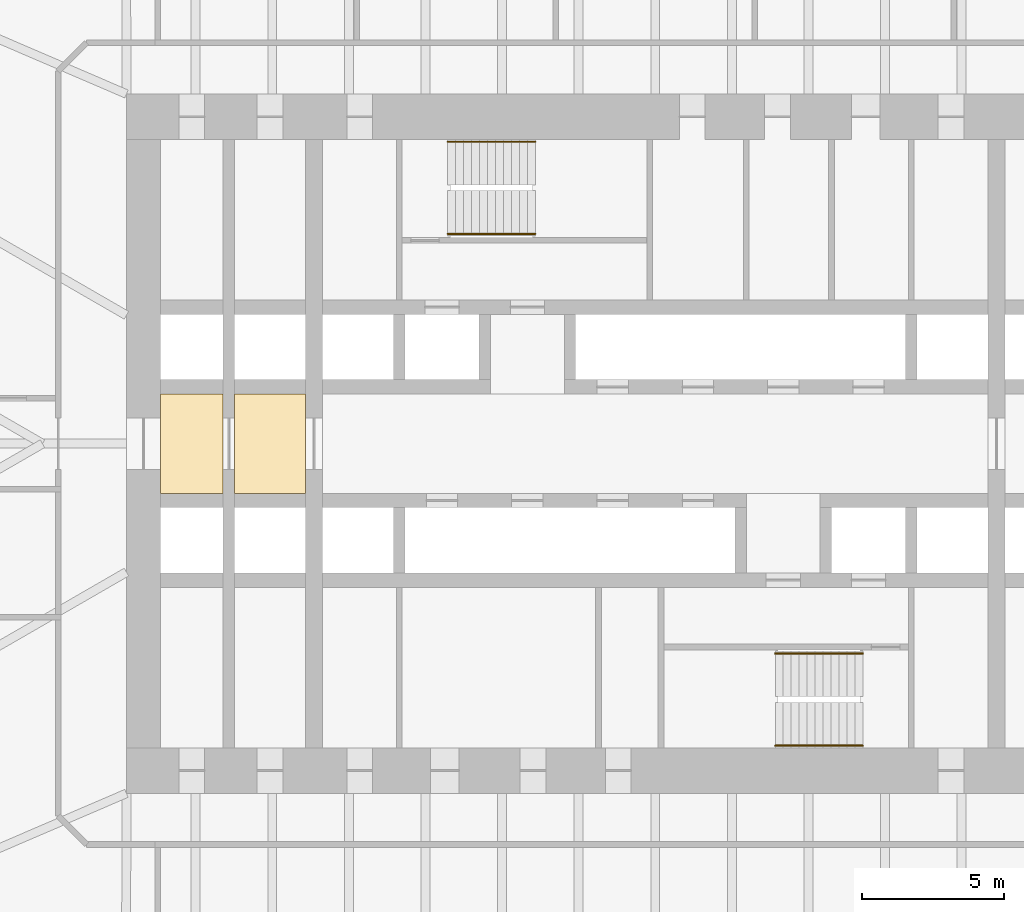
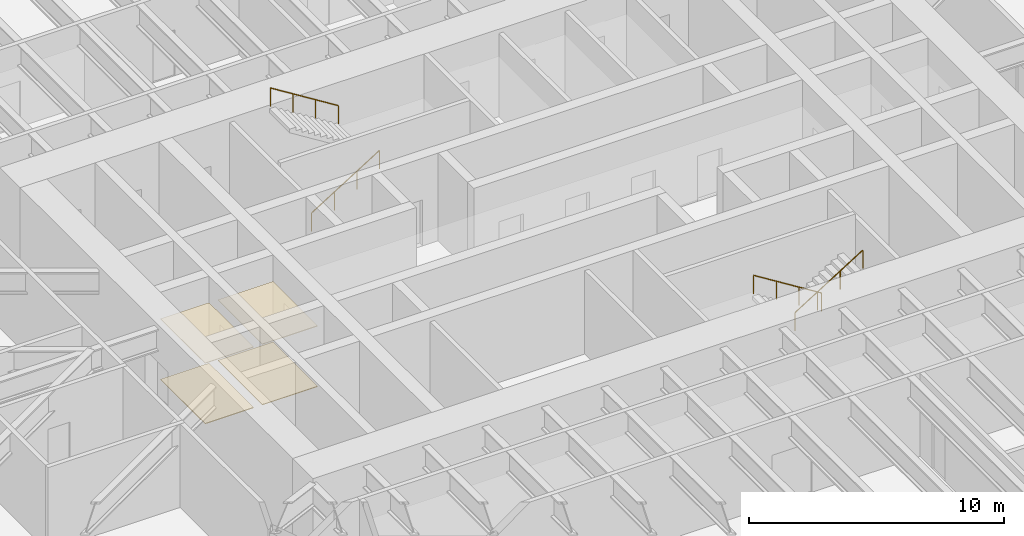
# One storey, part 21 of 23: 4 coverings, 4 railings.
"""IFC4 building model written with IfcOpenShell, lengths in metres."""

from ifc_helpers import new_model, si_unit, direction, frame, origin, origin_2d, place, context, subcontext, project, spatial, polyline, circle, outline, extrude, material, layer, layer_set, type_object, element, save


model = new_model("IFC4")

# Units and contexts
model_context = context("Model", 3, precision=1e-05, world=origin(), true_north=direction((0.0, 1.0)))
body_context = subcontext(model_context, "Body", "Model", "MODEL_VIEW")
ifc_project = project(units=[si_unit("LENGTHUNIT", "METRE"), si_unit("AREAUNIT", "SQUARE_METRE"), si_unit("VOLUMEUNIT", "CUBIC_METRE"), si_unit("PLANEANGLEUNIT", "RADIAN"), si_unit("MASSUNIT", "GRAM", prefix="KILO")], contexts=[model_context])

# Site, building, storey
site_placement = place(None, origin())
site = spatial("IfcSite", under=ifc_project, at=site_placement, CompositionType="ELEMENT")
building_placement = place(site_placement, origin())
building = spatial("IfcBuilding", under=site, at=building_placement, Name="Tarfa Lantern Tower", CompositionType="ELEMENT")
storey_placement = place(building_placement, frame((0.0, 0.0, 57.10009765625)))
storey = spatial("IfcBuildingStorey", under=building, at=storey_placement, Name="L12", CompositionType="ELEMENT", Elevation=57.10009765625)

# Coverings
ifc_material_1 = material(Name="Powder-coated aluminium panel", Category="aluminium")
ifc_layer_1 = layer(ifc_material_1, 0.030029296875)
ifc_layer_set_1 = layer_set([ifc_layer_1], Name="CL3 METAL PANEL CEILING 30")
covering_type_1 = type_object("IfcCoveringType", Name="CL3 METAL PANEL CEILING 30", PredefinedType="CEILING", material=ifc_layer_set_1)
covering_1_placement = place(storey_placement, frame((0.0, 0.0, 2.89990234375)))
element("IfcCovering", 1, at=covering_1_placement, inside=storey, type_object=covering_type_1, Name="Ceiling L12-01", PredefinedType="CEILING", context=body_context, shape_type="SweptSolid", body=[
    extrude(outline(polyline([(-17.39990234375, -1.75), (-15.199951171875, -1.75), (-15.199951171875, 1.75), (-17.39990234375, 1.75), (-17.39990234375, -1.75)])), origin(), (0.0, 0.0, 1.0), 0.030029296875),
])
covering_2_placement = place(storey_placement, frame((0.0, 0.0, 2.89990234375)))
element("IfcCovering", 2, at=covering_2_placement, inside=storey, type_object=covering_type_1, Name="Ceiling L12-02", PredefinedType="CEILING", context=body_context, shape_type="SweptSolid", body=[
    extrude(outline(polyline([(-14.800048828125, -1.75), (-12.300048828125, -1.75), (-12.300048828125, 1.75), (-14.800048828125, 1.75), (-14.800048828125, -1.75)])), origin(), (0.0, 0.0, 1.0), 0.030029296875),
])
ifc_material_2 = material(Name="Honed limestone flooring", Category="masonry")
ifc_layer_2 = layer(ifc_material_2, 0.030029296875)
ifc_layer_set_2 = layer_set([ifc_layer_2], Name="FL2 STONE FLOORING 30")
covering_type_2 = type_object("IfcCoveringType", Name="FL2 STONE FLOORING 30", PredefinedType="FLOORING", material=ifc_layer_set_2)
covering_3_placement = place(storey_placement, origin())
element("IfcCovering", 3, at=covering_3_placement, inside=storey, type_object=covering_type_2, Name="Floor finish L12-01", PredefinedType="FLOORING", context=body_context, shape_type="SweptSolid", body=[
    extrude(outline(polyline([(-17.39990234375, -1.75), (-15.199951171875, -1.75), (-15.199951171875, 1.75), (-17.39990234375, 1.75), (-17.39990234375, -1.75)])), origin(), (0.0, 0.0, 1.0), 0.02978515625),
])
covering_4_placement = place(storey_placement, origin())
element("IfcCovering", 4, at=covering_4_placement, inside=storey, type_object=covering_type_2, Name="Floor finish L12-02", PredefinedType="FLOORING", context=body_context, shape_type="SweptSolid", body=[
    extrude(outline(polyline([(-14.800048828125, -1.75), (-12.300048828125, -1.75), (-12.300048828125, 1.75), (-14.800048828125, 1.75), (-14.800048828125, -1.75)])), origin(), (0.0, 0.0, 1.0), 0.02978515625),
])

# Railings
ifc_material_3 = material(Name="Stainless steel", Category="steel")
railing_type = type_object("IfcRailingType", Name="HR1 HANDRAIL 900", PredefinedType="HANDRAIL", material=ifc_material_3)
railing_1_placement = place(storey_placement, frame((-7.300048828125, 7.3798828125, 0.1748046875)))
element("IfcRailing", 5, at=railing_1_placement, inside=storey, type_object=railing_type, Name="Handrail 1", PredefinedType="HANDRAIL", context=body_context, shape_type="SweptSolid", body=[
    extrude(circle(Radius=0.02392578125, at=origin_2d()), frame((0.0, 0.0, 0.8759765625), z_axis=(0.847998304005, 0.0, 0.529998940003), x_axis=(0.0, 1.0, 0.0)), (0.0, 0.0, 1.0), 3.632080078125),
    extrude(circle(Radius=0.02099609375, at=origin_2d()), frame((0.0, 0.0, 0.0), z_axis=(0.0, 0.0, 1.0), x_axis=(0.0, 1.0, 0.0)), (0.0, 0.0, 1.0), 0.851806640625),
    extrude(circle(Radius=0.02099609375, at=origin_2d()), frame((1.026611328125, 0.0, 0.6416015625), z_axis=(0.0, 0.0, 1.0), x_axis=(0.0, 1.0, 0.0)), (0.0, 0.0, 1.0), 0.851806640625),
    extrude(circle(Radius=0.02099609375, at=origin_2d()), frame((2.053466796875, 0.0, 1.283447265625), z_axis=(0.0, 0.0, 1.0), x_axis=(0.0, 1.0, 0.0)), (0.0, 0.0, 1.0), 0.851806640625),
    extrude(circle(Radius=0.02099609375, at=origin_2d()), frame((3.080078125, 0.0, 1.925048828125), z_axis=(0.0, 0.0, 1.0), x_axis=(0.0, 1.0, 0.0)), (0.0, 0.0, 1.0), 0.851806640625),
])
for number, where, name in (
    (6, (-4.219970703125, 10.6201171875, 2.27490234375), "Handrail 2"),
    (7, (7.300048828125, -7.3798828125, 0.1748046875), "Handrail 1"),
):
    element("IfcRailing", number, at=place(storey_placement, frame(where)), inside=storey, type_object=railing_type, Name=name, PredefinedType="HANDRAIL", context=body_context, shape_type="SweptSolid", body=[
        extrude(circle(Radius=0.02392578125, at=origin_2d()), frame((0.0, 0.0, 0.8759765625), z_axis=(-0.847998304005, 0.0, 0.529998940003), x_axis=(0.0, -1.0, 0.0)), (0.0, 0.0, 1.0), 3.632080078125),
        extrude(circle(Radius=0.02099609375, at=origin_2d()), frame((0.0, 0.0, 0.0), z_axis=(0.0, 0.0, 1.0), x_axis=(0.0, -1.0, 0.0)), (0.0, 0.0, 1.0), 0.851806640625),
        extrude(circle(Radius=0.02099609375, at=origin_2d()), frame((-1.026611328125, 0.0, 0.6416015625), z_axis=(0.0, 0.0, 1.0), x_axis=(0.0, -1.0, 0.0)), (0.0, 0.0, 1.0), 0.851806640625),
        extrude(circle(Radius=0.02099609375, at=origin_2d()), frame((-2.053466796875, 0.0, 1.283447265625), z_axis=(0.0, 0.0, 1.0), x_axis=(0.0, -1.0, 0.0)), (0.0, 0.0, 1.0), 0.851806640625),
        extrude(circle(Radius=0.02099609375, at=origin_2d()), frame((-3.080078125, 0.0, 1.925048828125), z_axis=(0.0, 0.0, 1.0), x_axis=(0.0, -1.0, 0.0)), (0.0, 0.0, 1.0), 0.851806640625),
    ])
railing_2_placement = place(storey_placement, frame((4.219970703125, -10.6201171875, 2.27490234375)))
element("IfcRailing", 8, at=railing_2_placement, inside=storey, type_object=railing_type, Name="Handrail 2", PredefinedType="HANDRAIL", context=body_context, shape_type="SweptSolid", body=[
    extrude(circle(Radius=0.02392578125, at=origin_2d()), frame((0.0, 0.0, 0.8759765625), z_axis=(0.847998304005, 0.0, 0.529998940003), x_axis=(0.0, 1.0, 0.0)), (0.0, 0.0, 1.0), 3.632080078125),
    extrude(circle(Radius=0.02099609375, at=origin_2d()), frame((0.0, 0.0, 0.0), z_axis=(0.0, 0.0, 1.0), x_axis=(0.0, 1.0, 0.0)), (0.0, 0.0, 1.0), 0.851806640625),
    extrude(circle(Radius=0.02099609375, at=origin_2d()), frame((1.026611328125, 0.0, 0.6416015625), z_axis=(0.0, 0.0, 1.0), x_axis=(0.0, 1.0, 0.0)), (0.0, 0.0, 1.0), 0.851806640625),
    extrude(circle(Radius=0.02099609375, at=origin_2d()), frame((2.053466796875, 0.0, 1.283447265625), z_axis=(0.0, 0.0, 1.0), x_axis=(0.0, 1.0, 0.0)), (0.0, 0.0, 1.0), 0.851806640625),
    extrude(circle(Radius=0.02099609375, at=origin_2d()), frame((3.080078125, 0.0, 1.925048828125), z_axis=(0.0, 0.0, 1.0), x_axis=(0.0, 1.0, 0.0)), (0.0, 0.0, 1.0), 0.851806640625),
])

save(model, "model.ifc")
